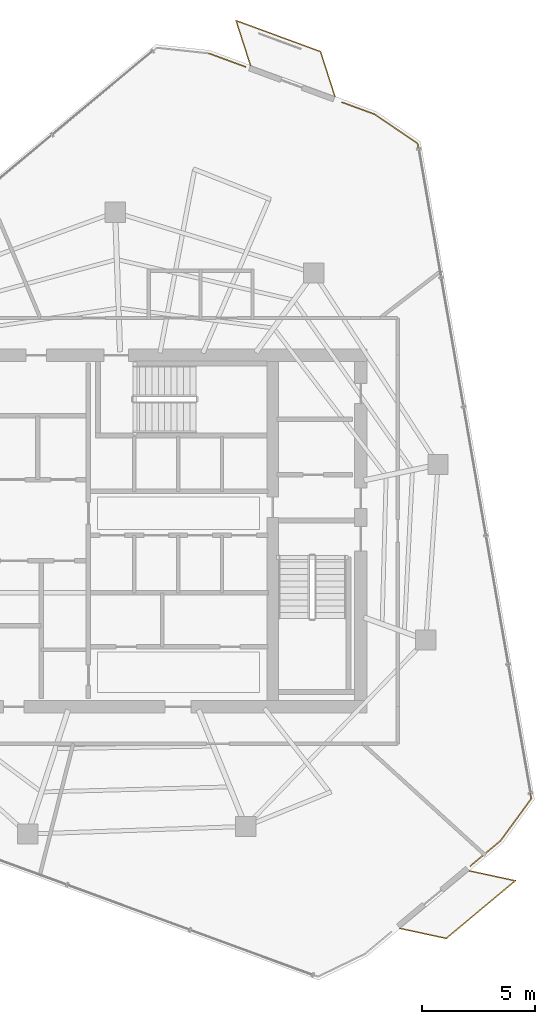
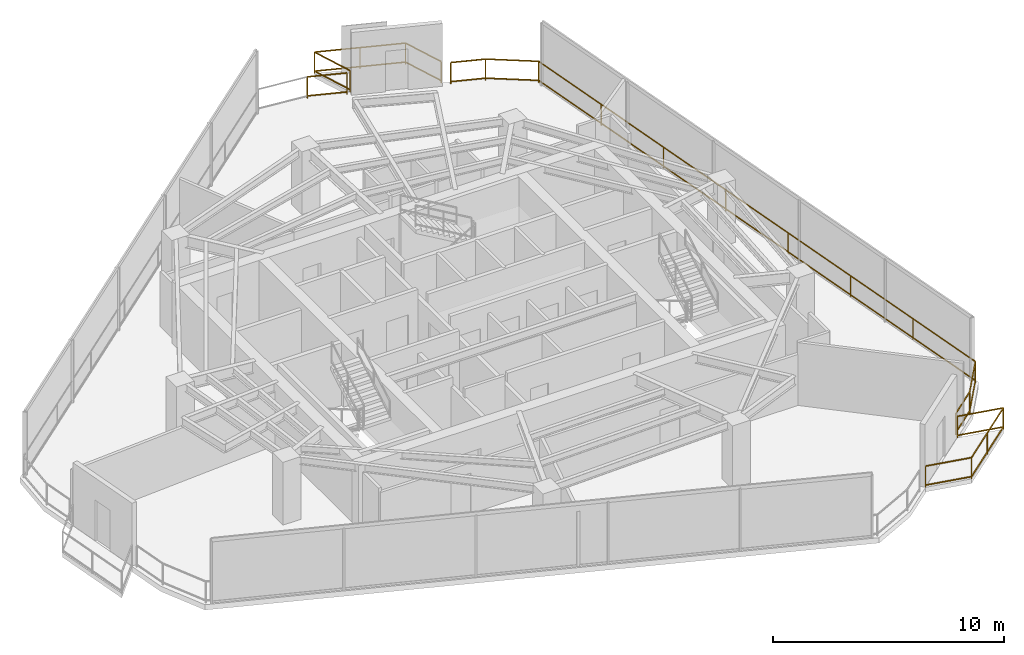
# One storey, part 18 of 18: 4 railings.
"""IFC4 building model written with IfcOpenShell, lengths in metres."""

from ifc_helpers import new_model, si_unit, direction, frame, origin, origin_2d, place, context, subcontext, project, spatial, rectangle, extrude, material, type_object, element, save


model = new_model("IFC4")

# Units and contexts
model_context = context("Model", 3, precision=1e-05, world=origin(), true_north=direction((0.0, 1.0)))
body_context = subcontext(model_context, "Body", "Model", "MODEL_VIEW")
ifc_project = project(units=[si_unit("LENGTHUNIT", "METRE"), si_unit("AREAUNIT", "SQUARE_METRE"), si_unit("VOLUMEUNIT", "CUBIC_METRE"), si_unit("PLANEANGLEUNIT", "RADIAN"), si_unit("MASSUNIT", "GRAM", prefix="KILO")], contexts=[model_context])

# Site, building, storey
site_placement = place(None, origin())
site = spatial("IfcSite", under=ifc_project, at=site_placement, CompositionType="ELEMENT")
building_placement = place(site_placement, origin())
building = spatial("IfcBuilding", under=site, at=building_placement, Name="Qarnah Convention Tower", CompositionType="ELEMENT")
storey_placement = place(building_placement, frame((0.0, 0.0, 216.60009765625)))
storey = spatial("IfcBuildingStorey", under=building, at=storey_placement, Name="L58", CompositionType="ELEMENT", Elevation=216.60009765625)

# Railings
ifc_material = material(Name="Black anodised aluminium", Category="aluminium")
railing_type = type_object("IfcRailingType", Name="RL-EXT-GUARD-1150", PredefinedType="GUARDRAIL", material=ifc_material)
railing_1_placement = place(storey_placement, frame((40.861083984375, 47.597900390625, 0.0)))
element("IfcRailing", 1, at=railing_1_placement, inside=storey, type_object=railing_type, Name="L58 slab-edge perimeter safety guard 01", PredefinedType="GUARDRAIL", context=body_context, shape_type="SweptSolid", body=[
    extrude(rectangle(XDim=0.048095703125, YDim=0.048095703125, at=origin_2d()), frame((0.0, 0.0, 1.1259765625), z_axis=(0.938648501856, -0.344875325246, 0.0), x_axis=(0.344875325246, 0.938648501856, 0.0)), (0.0, 0.0, 1.0), 1.7451171875),
    extrude(rectangle(XDim=0.048095703125, YDim=0.048095703125, at=origin_2d()), frame((0.0, 0.0, 0.1201171875), z_axis=(0.938648501856, -0.344875325246, 0.0), x_axis=(0.344875325246, 0.938648501856, 0.0)), (0.0, 0.0, 1.0), 1.7451171875),
    extrude(rectangle(XDim=0.0419921875, YDim=0.0419921875, at=origin_2d()), origin(), (0.0, 0.0, 1.0), 1.101806640625),
    extrude(rectangle(XDim=0.0419921875, YDim=0.0419921875, at=origin_2d()), frame((1.637939453125, -0.601806640625, 0.0)), (0.0, 0.0, 1.0), 1.101806640625),
])
railing_2_placement = place(storey_placement, frame((46.779052734375, 45.424072265625, 0.0)))
element("IfcRailing", 2, at=railing_2_placement, inside=storey, type_object=railing_type, Name="L58 slab-edge perimeter safety guard 02", PredefinedType="GUARDRAIL", context=body_context, shape_type="SweptSolid", body=[
    extrude(rectangle(XDim=0.048095703125, YDim=0.048095703125, at=origin_2d()), frame((0.0, 0.0, 1.1259765625), z_axis=(0.938855734355, -0.344310775417, 0.0), x_axis=(0.344310775417, 0.938855734355, 0.0)), (0.0, 0.0, 1.0), 1.53369140625),
    extrude(rectangle(XDim=0.048095703125, YDim=0.048095703125, at=origin_2d()), frame((0.0, 0.0, 0.1201171875), z_axis=(0.938855734355, -0.344310775417, 0.0), x_axis=(0.344310775417, 0.938855734355, 0.0)), (0.0, 0.0, 1.0), 1.53369140625),
    extrude(rectangle(XDim=0.048095703125, YDim=0.048095703125, at=origin_2d()), frame((1.43994140625, -0.528076171875, 1.1259765625), z_axis=(0.827426734717, -0.56157368054, 0.0), x_axis=(0.56157368054, 0.827426734717, 0.0)), (0.0, 0.0, 1.0), 2.313232421875),
    extrude(rectangle(XDim=0.048095703125, YDim=0.048095703125, at=origin_2d()), frame((1.43994140625, -0.528076171875, 0.1201171875), z_axis=(0.827426734717, -0.56157368054, 0.0), x_axis=(0.56157368054, 0.827426734717, 0.0)), (0.0, 0.0, 1.0), 2.313232421875),
    extrude(rectangle(XDim=0.048095703125, YDim=0.048095703125, at=origin_2d()), frame((3.35400390625, -1.8271484375, 1.1259765625), z_axis=(0.170908343629, -0.985286931852, 0.0), x_axis=(0.985286931852, 0.170908343629, 0.0)), (0.0, 0.0, 1.0), 29.518310546875),
    extrude(rectangle(XDim=0.048095703125, YDim=0.048095703125, at=origin_2d()), frame((3.35400390625, -1.8271484375, 0.1201171875), z_axis=(0.170908343629, -0.985286931852, 0.0), x_axis=(0.985286931852, 0.170908343629, 0.0)), (0.0, 0.0, 1.0), 29.518310546875),
    extrude(rectangle(XDim=0.048095703125, YDim=0.048095703125, at=origin_2d()), frame((8.39892578125, -30.9111328125, 1.1259765625), z_axis=(-0.589807619491, -0.807543789519, 0.0), x_axis=(0.807543789519, -0.589807619491, 0.0)), (0.0, 0.0, 1.0), 2.314208984375),
    extrude(rectangle(XDim=0.048095703125, YDim=0.048095703125, at=origin_2d()), frame((8.39892578125, -30.9111328125, 0.1201171875), z_axis=(-0.589807619491, -0.807543789519, 0.0), x_axis=(0.807543789519, -0.589807619491, 0.0)), (0.0, 0.0, 1.0), 2.314208984375),
    extrude(rectangle(XDim=0.048095703125, YDim=0.048095703125, at=origin_2d()), frame((7.033935546875, -32.780029296875, 1.1259765625), z_axis=(-0.768049338016, -0.640390673241, 0.0), x_axis=(0.640390673241, -0.768049338016, 0.0)), (0.0, 0.0, 1.0), 1.74609375),
    extrude(rectangle(XDim=0.048095703125, YDim=0.048095703125, at=origin_2d()), frame((7.033935546875, -32.780029296875, 0.1201171875), z_axis=(-0.768049338016, -0.640390673241, 0.0), x_axis=(0.640390673241, -0.768049338016, 0.0)), (0.0, 0.0, 1.0), 1.74609375),
    extrude(rectangle(XDim=0.0419921875, YDim=0.0419921875, at=origin_2d()), origin(), (0.0, 0.0, 1.0), 1.101806640625),
    extrude(rectangle(XDim=0.0419921875, YDim=0.0419921875, at=origin_2d()), frame((1.43994140625, -0.528076171875, 0.0)), (0.0, 0.0, 1.0), 1.101806640625),
    extrude(rectangle(XDim=0.0419921875, YDim=0.0419921875, at=origin_2d()), frame((3.35400390625, -1.8271484375, 0.0)), (0.0, 0.0, 1.0), 1.101806640625),
    extrude(rectangle(XDim=0.0419921875, YDim=0.0419921875, at=origin_2d()), frame((4.07470703125, -5.98193359375, 0.0)), (0.0, 0.0, 1.0), 1.101806640625),
    extrude(rectangle(XDim=0.0419921875, YDim=0.0419921875, at=origin_2d()), frame((4.79541015625, -10.136962890625, 0.0)), (0.0, 0.0, 1.0), 1.101806640625),
    extrude(rectangle(XDim=0.0419921875, YDim=0.0419921875, at=origin_2d()), frame((5.51611328125, -14.291748046875, 0.0)), (0.0, 0.0, 1.0), 1.101806640625),
    extrude(rectangle(XDim=0.0419921875, YDim=0.0419921875, at=origin_2d()), frame((6.23681640625, -18.446533203125, 0.0)), (0.0, 0.0, 1.0), 1.101806640625),
    extrude(rectangle(XDim=0.0419921875, YDim=0.0419921875, at=origin_2d()), frame((6.95751953125, -22.601318359375, 0.0)), (0.0, 0.0, 1.0), 1.101806640625),
    extrude(rectangle(XDim=0.0419921875, YDim=0.0419921875, at=origin_2d()), frame((7.67822265625, -26.75634765625, 0.0)), (0.0, 0.0, 1.0), 1.101806640625),
    extrude(rectangle(XDim=0.0419921875, YDim=0.0419921875, at=origin_2d()), frame((8.39892578125, -30.9111328125, 0.0)), (0.0, 0.0, 1.0), 1.101806640625),
    extrude(rectangle(XDim=0.0419921875, YDim=0.0419921875, at=origin_2d()), frame((7.033935546875, -32.780029296875, 0.0)), (0.0, 0.0, 1.0), 1.101806640625),
    extrude(rectangle(XDim=0.0419921875, YDim=0.0419921875, at=origin_2d()), frame((5.69287109375, -33.898193359375, 0.0)), (0.0, 0.0, 1.0), 1.101806640625),
])
railing_3_placement = place(storey_placement, frame((42.708984375, 47.06298828125, 0.0)))
element("IfcRailing", 3, at=railing_3_placement, inside=storey, type_object=railing_type, Name="L58 balcony safety guard BAL-L58-C1", PredefinedType="GUARDRAIL", context=body_context, shape_type="SweptSolid", body=[
    extrude(rectangle(XDim=0.048095703125, YDim=0.048095703125, at=origin_2d()), frame((0.0, 0.0, 1.1259765625), z_axis=(-0.306133754766, 0.951988510536, 0.0), x_axis=(-0.951988510536, -0.306133754766, 0.0)), (0.0, 0.0, 1.0), 2.093505859375),
    extrude(rectangle(XDim=0.048095703125, YDim=0.048095703125, at=origin_2d()), frame((0.0, 0.0, 0.1201171875), z_axis=(-0.306133754766, 0.951988510536, 0.0), x_axis=(-0.951988510536, -0.306133754766, 0.0)), (0.0, 0.0, 1.0), 2.093505859375),
    extrude(rectangle(XDim=0.048095703125, YDim=0.048095703125, at=origin_2d()), frame((-0.640869140625, 1.992919921875, 1.1259765625), z_axis=(0.938676211413, -0.344799898677, 0.0), x_axis=(0.344799898677, 0.938676211413, 0.0)), (0.0, 0.0, 1.0), 3.999267578125),
    extrude(rectangle(XDim=0.048095703125, YDim=0.048095703125, at=origin_2d()), frame((-0.640869140625, 1.992919921875, 0.1201171875), z_axis=(0.938676211413, -0.344799898677, 0.0), x_axis=(0.344799898677, 0.938676211413, 0.0)), (0.0, 0.0, 1.0), 3.999267578125),
    extrude(rectangle(XDim=0.048095703125, YDim=0.048095703125, at=origin_2d()), frame((3.113037109375, 0.614013671875, 1.1259765625), z_axis=(0.306662077118, -0.951818454569, 0.0), x_axis=(0.951818454569, 0.306662077118, 0.0)), (0.0, 0.0, 1.0), 2.09375),
    extrude(rectangle(XDim=0.048095703125, YDim=0.048095703125, at=origin_2d()), frame((3.113037109375, 0.614013671875, 0.1201171875), z_axis=(0.306662077118, -0.951818454569, 0.0), x_axis=(0.951818454569, 0.306662077118, 0.0)), (0.0, 0.0, 1.0), 2.09375),
    extrude(rectangle(XDim=0.0419921875, YDim=0.0419921875, at=origin_2d()), origin(), (0.0, 0.0, 1.0), 1.101806640625),
    extrude(rectangle(XDim=0.0419921875, YDim=0.0419921875, at=origin_2d()), frame((-0.640869140625, 1.992919921875, 0.0)), (0.0, 0.0, 1.0), 1.101806640625),
    extrude(rectangle(XDim=0.0419921875, YDim=0.0419921875, at=origin_2d()), frame((1.236083984375, 1.303466796875, 0.0)), (0.0, 0.0, 1.0), 1.101806640625),
    extrude(rectangle(XDim=0.0419921875, YDim=0.0419921875, at=origin_2d()), frame((3.113037109375, 0.614013671875, 0.0)), (0.0, 0.0, 1.0), 1.101806640625),
    extrude(rectangle(XDim=0.0419921875, YDim=0.0419921875, at=origin_2d()), frame((3.755126953125, -1.37890625, 0.0)), (0.0, 0.0, 1.0), 1.101806640625),
])
railing_4_placement = place(storey_placement, frame((52.426025390625, 11.31103515625, 0.0)))
element("IfcRailing", 4, at=railing_4_placement, inside=storey, type_object=railing_type, Name="L58 balcony safety guard BAL-L58-C3", PredefinedType="GUARDRAIL", context=body_context, shape_type="SweptSolid", body=[
    extrude(rectangle(XDim=0.048095703125, YDim=0.048095703125, at=origin_2d()), frame((0.0, 0.0, 1.1259765625), z_axis=(0.977576611539, -0.210580076388, 0.0), x_axis=(0.210580076388, 0.977576611539, 0.0)), (0.0, 0.0, 1.0), 2.09375),
    extrude(rectangle(XDim=0.048095703125, YDim=0.048095703125, at=origin_2d()), frame((0.0, 0.0, 0.1201171875), z_axis=(0.977576611539, -0.210580076388, 0.0), x_axis=(0.210580076388, 0.977576611539, 0.0)), (0.0, 0.0, 1.0), 2.09375),
    extrude(rectangle(XDim=0.048095703125, YDim=0.048095703125, at=origin_2d()), frame((2.046875, -0.44091796875, 1.1259765625), z_axis=(-0.767976091424, -0.64047851096, 0.0), x_axis=(0.64047851096, -0.767976091424, 0.0)), (0.0, 0.0, 1.0), 4.000244140625),
    extrude(rectangle(XDim=0.048095703125, YDim=0.048095703125, at=origin_2d()), frame((2.046875, -0.44091796875, 0.1201171875), z_axis=(-0.767976091424, -0.64047851096, 0.0), x_axis=(0.64047851096, -0.767976091424, 0.0)), (0.0, 0.0, 1.0), 4.000244140625),
    extrude(rectangle(XDim=0.048095703125, YDim=0.048095703125, at=origin_2d()), frame((-1.025146484375, -3.0029296875, 1.1259765625), z_axis=(-0.977555915312, 0.210676131629, 0.0), x_axis=(-0.210676131629, -0.977555915312, 0.0)), (0.0, 0.0, 1.0), 2.0927734375),
    extrude(rectangle(XDim=0.048095703125, YDim=0.048095703125, at=origin_2d()), frame((-1.025146484375, -3.0029296875, 0.1201171875), z_axis=(-0.977555915312, 0.210676131629, 0.0), x_axis=(-0.210676131629, -0.977555915312, 0.0)), (0.0, 0.0, 1.0), 2.0927734375),
    extrude(rectangle(XDim=0.0419921875, YDim=0.0419921875, at=origin_2d()), origin(), (0.0, 0.0, 1.0), 1.101806640625),
    extrude(rectangle(XDim=0.0419921875, YDim=0.0419921875, at=origin_2d()), frame((2.046875, -0.44091796875, 0.0)), (0.0, 0.0, 1.0), 1.101806640625),
    extrude(rectangle(XDim=0.0419921875, YDim=0.0419921875, at=origin_2d()), frame((0.5107421875, -1.721923828125, 0.0)), (0.0, 0.0, 1.0), 1.101806640625),
    extrude(rectangle(XDim=0.0419921875, YDim=0.0419921875, at=origin_2d()), frame((-1.025146484375, -3.0029296875, 0.0)), (0.0, 0.0, 1.0), 1.101806640625),
    extrude(rectangle(XDim=0.0419921875, YDim=0.0419921875, at=origin_2d()), frame((-3.071044921875, -2.56201171875, 0.0)), (0.0, 0.0, 1.0), 1.101806640625),
])

save(model, "model.ifc")
